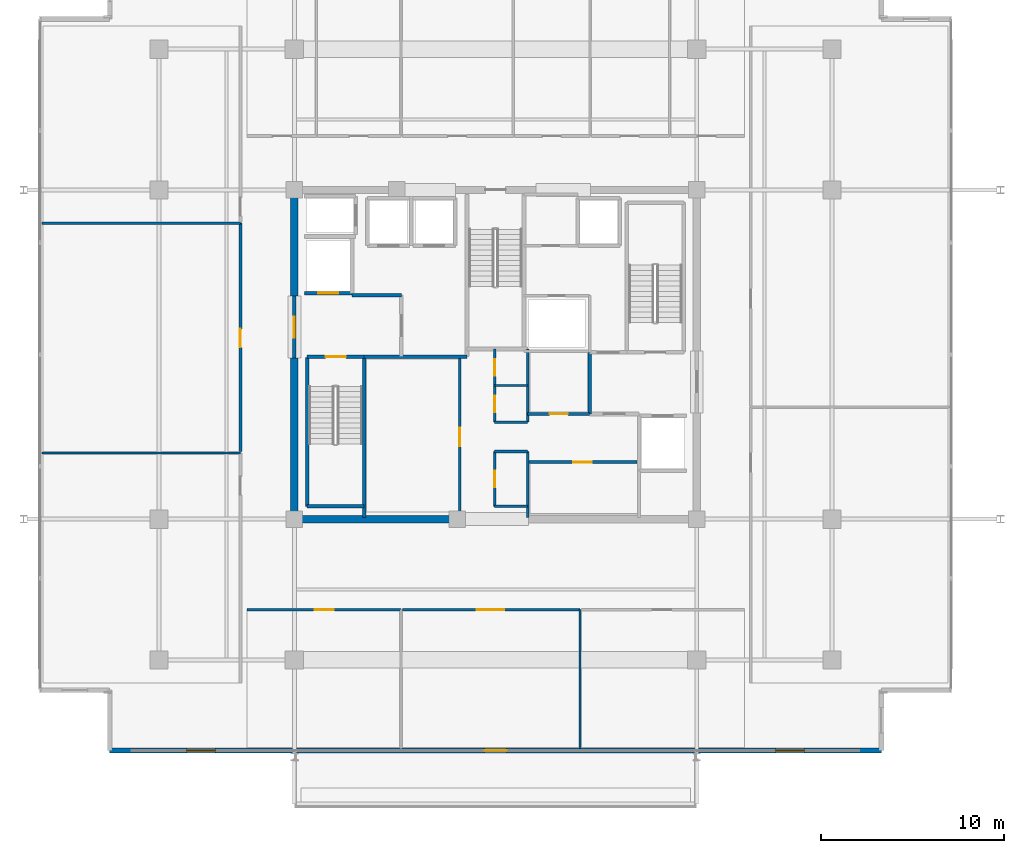
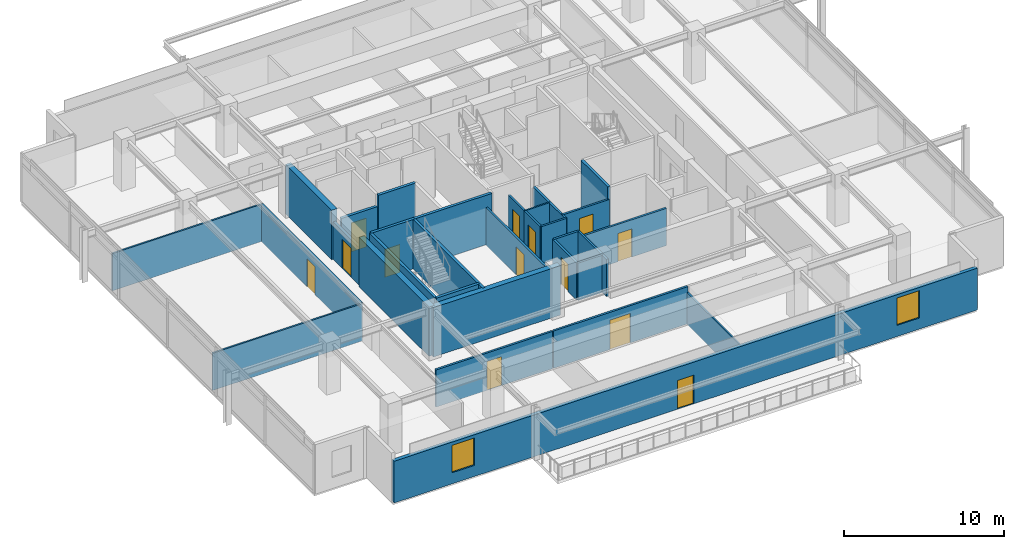
# One storey, part 13 of 20: 31 walls, 13 doors, 2 windows, 15 openings.
"""IFC4 building model written with IfcOpenShell, lengths in metres."""

from ifc_helpers import new_model, si_unit, direction, frame, frame_2d, origin, place, context, subcontext, project, spatial, rectangle, extrude, material, layer, layer_set, type_object, element, fill, save


model = new_model("IFC4")

# Units and contexts
model_context = context("Model", 3, precision=1e-05, world=origin(), true_north=direction((0.0, 1.0)))
body_context = subcontext(model_context, "Body", "Model", "MODEL_VIEW")
ifc_project = project(units=[si_unit("LENGTHUNIT", "METRE"), si_unit("AREAUNIT", "SQUARE_METRE"), si_unit("VOLUMEUNIT", "CUBIC_METRE"), si_unit("PLANEANGLEUNIT", "RADIAN"), si_unit("MASSUNIT", "GRAM", prefix="KILO")], contexts=[model_context])

# Site, building, storey
site_placement = place(None, origin())
site = spatial("IfcSite", under=ifc_project, at=site_placement, CompositionType="ELEMENT")
building_placement = place(site_placement, origin())
building = spatial("IfcBuilding", under=site, at=building_placement, Name="Kovane Verandah Tower", CompositionType="ELEMENT")
storey_placement = place(building_placement, frame((0.0, 0.0, 322.800048828125)))
storey = spatial("IfcBuildingStorey", under=building, at=storey_placement, Name="L75", CompositionType="ELEMENT", Elevation=322.800048828125)

# Walls
ifc_material_1 = material(Name="Fire-Rated Gypsum Stud Partition", Category="gypsum")
ifc_layer_1 = layer(ifc_material_1, 0.14990234375)
ifc_layer_set_1 = layer_set([ifc_layer_1], Name="Fire-Rated Gypsum Stud Partition")
wall_type_1 = type_object("IfcWallType", Name="WL-COR-150", PredefinedType="PARTITIONING", material=ifc_layer_set_1)
for number, where, z_axis, x_axis, name in (
    (1, (39.949951171875, 19.199951171875, 0.0), (0.0, 0.0, 1.0), (1.0, 0.0, 0.0), "L75 Central Core Strip South Wall"),
    (2, (39.949951171875, 22.199951171875, 0.0), (0.0, 0.0, 1.0), (1.0, 0.0, 0.0), "L75 Core Cross-Passage South Wall"),
    (3, (39.949951171875, 23.800048828125, 0.0), (0.0, 0.0, 1.0), (1.0, 0.0, 0.0), "L75 Core Cross-Passage North Wall"),
):
    element("IfcWall", number, at=place(storey_placement, frame(where, z_axis=z_axis, x_axis=x_axis)), inside=storey, type_object=wall_type_1, Name=name, PredefinedType="PARTITIONING", context=body_context, shape_type="SweptSolid", body=[
        extrude(rectangle(XDim=1.81005859375, YDim=0.14990234375, at=frame_2d((0.905029296875, 0.0))), origin(), (0.0, 0.0, 1.0), 2.849853515625),
    ])
wall_1_placement = place(storey_placement, frame((41.760009765625, 18.60009765625, 0.0), z_axis=(0.0, 0.0, 1.0), x_axis=(0.0, 1.0, 0.0)))
element("IfcWall", 4, at=wall_1_placement, inside=storey, type_object=wall_type_1, Name="L75 Central Core Strip Lower East Wall", PredefinedType="PARTITIONING", context=body_context, shape_type="SweptSolid", body=[
    extrude(rectangle(XDim=3.599853515625, YDim=0.14990234375, at=frame_2d((1.7998046875, 0.0))), origin(), (0.0, 0.0, 1.0), 2.849853515625),
])
wall_2_placement = place(storey_placement, frame((41.760009765625, 23.800048828125, 0.0), z_axis=(0.0, 0.0, 1.0), x_axis=(0.0, 1.0, 0.0)))
element("IfcWall", 5, at=wall_2_placement, inside=storey, type_object=wall_type_1, Name="L75 Central Core Strip Upper East Wall", PredefinedType="PARTITIONING", context=body_context, shape_type="SweptSolid", body=[
    extrude(rectangle(XDim=4.0, YDim=0.14990234375, at=frame_2d((2.0, 0.0))), origin(), (0.0, 0.0, 1.0), 2.849853515625),
])

# Wall, opening, door
wall_3_placement = place(storey_placement, frame((39.949951171875, 19.199951171875, 0.0), z_axis=(0.0, 0.0, 1.0), x_axis=(0.0, 1.0, 0.0)))
wall_3 = element("IfcWall", 6, at=wall_3_placement, inside=storey, type_object=wall_type_1, Name="L75 Male Toilet Partition", PredefinedType="PARTITIONING", context=body_context, shape_type="SweptSolid", body=[
    extrude(rectangle(XDim=3.0, YDim=0.14990234375, at=frame_2d((1.5, 0.0))), origin(), (0.0, 0.0, 1.0), 2.849853515625),
])
opening_1_placement = place(wall_3_placement, frame((1.050048828125, 0.0, 0.0)))
opening_1 = element("IfcOpeningElement", 7, at=opening_1_placement, cuts=wall_3, Name="Opening DR-L75-029", PredefinedType="OPENING", context=body_context, shape_type="SweptSolid", body=[
    extrude(rectangle(XDim=0.89990234375, YDim=2.10009765625, at=frame_2d((0.449951171875, 1.050048828125))), frame((0.0, 0.074951171875, 0.0), z_axis=(0.0, -1.0, 0.0), x_axis=(1.0, 0.0, 0.0)), (0.0, 0.0, 1.0), 0.14990234375),
])
ifc_material_2 = material(Name="Moisture-Resistant Laminate Washroom Door", Category="wood")
door_type_1 = type_object("IfcDoorType", Name="DR-WC-900", OperationType="SINGLE_SWING_LEFT", PredefinedType="DOOR", material=ifc_material_2)
door_1_placement = place(opening_1_placement, origin())
door_1 = element("IfcDoor", 8, at=door_1_placement, inside=storey, type_object=door_type_1, Name="L75 Male Toilet Door", OperationType="SINGLE_SWING_LEFT", OverallHeight=2.10009765625, OverallWidth=0.89990234375, PredefinedType="DOOR", context=body_context, shape_type="SweptSolid", body=[
    extrude(rectangle(XDim=0.89990234375, YDim=2.10009765625, at=frame_2d((0.449951171875, 1.050048828125))), frame((0.0, 0.02490234375, 0.0), z_axis=(0.0, -1.0, 0.0), x_axis=(1.0, 0.0, 0.0)), (0.0, 0.0, 1.0), 0.050048828125),
])
fill(opening_1, door_1)

wall_4_placement = place(storey_placement, frame((39.949951171875, 23.800048828125, 0.0), z_axis=(0.0, 0.0, 1.0), x_axis=(0.0, 1.0, 0.0)))
wall_4 = element("IfcWall", 9, at=wall_4_placement, inside=storey, type_object=wall_type_1, Name="L75 Female Toilet Partition", PredefinedType="PARTITIONING", context=body_context, shape_type="SweptSolid", body=[
    extrude(rectangle(XDim=2.0, YDim=0.14990234375, at=frame_2d((1.0, 0.0))), origin(), (0.0, 0.0, 1.0), 2.849853515625),
])
opening_2_placement = place(wall_4_placement, frame((0.550048828125, 0.0, 0.0)))
opening_2 = element("IfcOpeningElement", 10, at=opening_2_placement, cuts=wall_4, Name="Opening DR-L75-028", PredefinedType="OPENING", context=body_context, shape_type="SweptSolid", body=[
    extrude(rectangle(XDim=0.89990234375, YDim=2.10009765625, at=frame_2d((0.449951171875, 1.050048828125))), frame((0.0, 0.074951171875, 0.0), z_axis=(0.0, -1.0, 0.0), x_axis=(1.0, 0.0, 0.0)), (0.0, 0.0, 1.0), 0.14990234375),
])
door_2_placement = place(opening_2_placement, origin())
door_2 = element("IfcDoor", 11, at=door_2_placement, inside=storey, type_object=door_type_1, Name="L75 Female Toilet Door", OperationType="SINGLE_SWING_RIGHT", OverallHeight=2.10009765625, OverallWidth=0.89990234375, PredefinedType="DOOR", context=body_context, shape_type="SweptSolid", body=[
    extrude(rectangle(XDim=0.89990234375, YDim=2.10009765625, at=frame_2d((0.449951171875, 1.050048828125))), frame((0.0, 0.02490234375, 0.0), z_axis=(0.0, -1.0, 0.0), x_axis=(1.0, 0.0, 0.0)), (0.0, 0.0, 1.0), 0.050048828125),
])
fill(opening_2, door_2)

wall_5_placement = place(storey_placement, frame((39.949951171875, 25.800048828125, 0.0), z_axis=(0.0, 0.0, 1.0), x_axis=(0.0, 1.0, 0.0)))
wall_5 = element("IfcWall", 12, at=wall_5_placement, inside=storey, type_object=wall_type_1, Name="L75 Accessible Unisex Toilet Partition", PredefinedType="PARTITIONING", context=body_context, shape_type="SweptSolid", body=[
    extrude(rectangle(XDim=2.0, YDim=0.14990234375, at=frame_2d((1.0, 0.0))), origin(), (0.0, 0.0, 1.0), 2.849853515625),
])
opening_3_placement = place(wall_5_placement, frame((0.550048828125, 0.0, 0.0)))
opening_3 = element("IfcOpeningElement", 13, at=opening_3_placement, cuts=wall_5, Name="Opening DR-L75-027", PredefinedType="OPENING", context=body_context, shape_type="SweptSolid", body=[
    extrude(rectangle(XDim=0.89990234375, YDim=2.10009765625, at=frame_2d((0.449951171875, 1.050048828125))), frame((0.0, 0.074951171875, 0.0), z_axis=(0.0, -1.0, 0.0), x_axis=(1.0, 0.0, 0.0)), (0.0, 0.0, 1.0), 0.14990234375),
])
door_3_placement = place(opening_3_placement, origin())
door_3 = element("IfcDoor", 14, at=door_3_placement, inside=storey, type_object=door_type_1, Name="L75 Accessible Unisex Toilet Door", OperationType="SINGLE_SWING_LEFT", OverallHeight=2.10009765625, OverallWidth=0.89990234375, PredefinedType="DOOR", context=body_context, shape_type="SweptSolid", body=[
    extrude(rectangle(XDim=0.89990234375, YDim=2.10009765625, at=frame_2d((0.449951171875, 1.050048828125))), frame((0.0, 0.02490234375, 0.0), z_axis=(0.0, -1.0, 0.0), x_axis=(1.0, 0.0, 0.0)), (0.0, 0.0, 1.0), 0.050048828125),
])
fill(opening_3, door_3)

wall_6_placement = place(storey_placement, frame((38.050048828125, 18.60009765625, 0.0), z_axis=(0.0, 0.0, 1.0), x_axis=(0.0, 1.0, 0.0)))
wall_6 = element("IfcWall", 15, at=wall_6_placement, inside=storey, type_object=wall_type_1, Name="L75 Tenant Wellness and Archive Suite Partition", PredefinedType="PARTITIONING", context=body_context, shape_type="SweptSolid", body=[
    extrude(rectangle(XDim=8.77978515625, YDim=0.14990234375, at=frame_2d((4.389892578125, 0.0))), origin(), (0.0, 0.0, 1.0), 2.849853515625),
])
opening_4_placement = place(wall_6_placement, frame((3.889892578125, 0.0, 0.0)))
opening_4 = element("IfcOpeningElement", 16, at=opening_4_placement, cuts=wall_6, Name="Opening DR-L75-013", PredefinedType="OPENING", context=body_context, shape_type="SweptSolid", body=[
    extrude(rectangle(XDim=1.0, YDim=2.14990234375, at=frame_2d((0.5, 1.074951171875))), frame((0.0, 0.074951171875, 0.0), z_axis=(0.0, -1.0, 0.0), x_axis=(1.0, 0.0, 0.0)), (0.0, 0.0, 1.0), 0.14990234375),
])
ifc_material_3 = material(Name="FSC Spotted-Gum Timber Fire-Rated Office Door", Category="wood")
door_type_2 = type_object("IfcDoorType", Name="DR-OFF-1000", OperationType="SINGLE_SWING_LEFT", PredefinedType="DOOR", material=ifc_material_3)
door_4_placement = place(opening_4_placement, origin())
door_4 = element("IfcDoor", 17, at=door_4_placement, inside=storey, type_object=door_type_2, Name="L75 Tenant Wellness and Archive Suite Door", OperationType="SINGLE_SWING_RIGHT", OverallHeight=2.14990234375, OverallWidth=1.0, PredefinedType="DOOR", context=body_context, shape_type="SweptSolid", body=[
    extrude(rectangle(XDim=1.0, YDim=2.14990234375, at=frame_2d((0.5, 1.074951171875))), frame((0.0, 0.02490234375, 0.0), z_axis=(0.0, -1.0, 0.0), x_axis=(1.0, 0.0, 0.0)), (0.0, 0.0, 1.0), 0.050048828125),
])
fill(opening_4, door_4)

wall_7_placement = place(storey_placement, frame((41.760009765625, 21.6201171875, 0.0), z_axis=(0.0, 0.0, 1.0), x_axis=(1.0, 0.0, 0.0)))
wall_7 = element("IfcWall", 18, at=wall_7_placement, inside=storey, type_object=wall_type_1, Name="L75 Records Vault Room Partition", PredefinedType="PARTITIONING", context=body_context, shape_type="SweptSolid", body=[
    extrude(rectangle(XDim=5.97998046875, YDim=0.14990234375, at=frame_2d((2.989990234375, 0.0))), origin(), (0.0, 0.0, 1.0), 2.849853515625),
])
opening_5_placement = place(wall_7_placement, frame((2.489990234375, 0.0, 0.0)))
opening_5 = element("IfcOpeningElement", 19, at=opening_5_placement, cuts=wall_7, Name="Opening DR-L75-014", PredefinedType="OPENING", context=body_context, shape_type="SweptSolid", body=[
    extrude(rectangle(XDim=1.0, YDim=2.14990234375, at=frame_2d((0.5, 1.074951171875))), frame((0.0, 0.074951171875, 0.0), z_axis=(0.0, -1.0, 0.0), x_axis=(1.0, 0.0, 0.0)), (0.0, 0.0, 1.0), 0.14990234375),
])
door_5_placement = place(opening_5_placement, origin())
door_5 = element("IfcDoor", 20, at=door_5_placement, inside=storey, type_object=door_type_2, Name="L75 Records Vault Room Door", OperationType="SINGLE_SWING_LEFT", OverallHeight=2.14990234375, OverallWidth=1.0, PredefinedType="DOOR", context=body_context, shape_type="SweptSolid", body=[
    extrude(rectangle(XDim=1.0, YDim=2.14990234375, at=frame_2d((0.5, 1.074951171875))), frame((0.0, 0.02490234375, 0.0), z_axis=(0.0, -1.0, 0.0), x_axis=(1.0, 0.0, 0.0)), (0.0, 0.0, 1.0), 0.050048828125),
])
fill(opening_5, door_5)

wall_8_placement = place(storey_placement, frame((41.760009765625, 24.25, 0.0), z_axis=(0.0, 0.0, 1.0), x_axis=(1.0, 0.0, 0.0)))
wall_8 = element("IfcWall", 21, at=wall_8_placement, inside=storey, type_object=wall_type_1, Name="L75 Document Archive Room Partition", PredefinedType="PARTITIONING", context=body_context, shape_type="SweptSolid", body=[
    extrude(rectangle(XDim=3.389892578125, YDim=0.14990234375, at=frame_2d((1.69482421875, 0.0))), origin(), (0.0, 0.0, 1.0), 2.849853515625),
])
opening_6_placement = place(wall_8_placement, frame((1.195068359375, 0.0, 0.0)))
opening_6 = element("IfcOpeningElement", 22, at=opening_6_placement, cuts=wall_8, Name="Opening DR-L75-015", PredefinedType="OPENING", context=body_context, shape_type="SweptSolid", body=[
    extrude(rectangle(XDim=1.0, YDim=2.14990234375, at=frame_2d((0.5, 1.074951171875))), frame((0.0, 0.074951171875, 0.0), z_axis=(0.0, -1.0, 0.0), x_axis=(1.0, 0.0, 0.0)), (0.0, 0.0, 1.0), 0.14990234375),
])
door_6_placement = place(opening_6_placement, origin())
door_6 = element("IfcDoor", 23, at=door_6_placement, inside=storey, type_object=door_type_2, Name="L75 Document Archive Room Door", OperationType="SINGLE_SWING_RIGHT", OverallHeight=2.14990234375, OverallWidth=1.0, PredefinedType="DOOR", context=body_context, shape_type="SweptSolid", body=[
    extrude(rectangle(XDim=1.0, YDim=2.14990234375, at=frame_2d((0.5, 1.074951171875))), frame((0.0, 0.02490234375, 0.0), z_axis=(0.0, -1.0, 0.0), x_axis=(1.0, 0.0, 0.0)), (0.0, 0.0, 1.0), 0.050048828125),
])
fill(opening_6, door_6)

wall_9_placement = place(storey_placement, frame((26.39990234375, 13.550048828125, 0.0), z_axis=(0.0, 0.0, 1.0), x_axis=(1.0, 0.0, 0.0)))
wall_9 = element("IfcWall", 24, at=wall_9_placement, inside=storey, type_object=wall_type_1, Name="L75 Executive Office S1 Corridor Partition", PredefinedType="PARTITIONING", context=body_context, shape_type="SweptSolid", body=[
    extrude(rectangle(XDim=8.43212890625, YDim=0.14990234375, at=frame_2d((4.216064453125, 0.0))), origin(), (0.0, 0.0, 1.0), 2.849853515625),
])
opening_7_placement = place(wall_9_placement, frame((3.7060546875, 0.0, 0.0)))
opening_7 = element("IfcOpeningElement", 25, at=opening_7_placement, cuts=wall_9, Name="Opening DR-L75-024", PredefinedType="OPENING", context=body_context, shape_type="SweptSolid", body=[
    extrude(rectangle(XDim=1.050048828125, YDim=2.199951171875, at=frame_2d((0.52490234375, 1.10009765625))), frame((0.0, 0.074951171875, 0.0), z_axis=(0.0, -1.0, 0.0), x_axis=(1.0, 0.0, 0.0)), (0.0, 0.0, 1.0), 0.14990234375),
])
ifc_material_4 = material(Name="FSC Blackbutt Timber Fire-Rated Executive Door", Category="wood")
door_type_3 = type_object("IfcDoorType", Name="DR-EXEC-1050", OperationType="SINGLE_SWING_LEFT", PredefinedType="DOOR", material=ifc_material_4)
door_7_placement = place(opening_7_placement, origin())
door_7 = element("IfcDoor", 26, at=door_7_placement, inside=storey, type_object=door_type_3, Name="L75 Executive Office S1 Entrance Door", OperationType="SINGLE_SWING_LEFT", OverallHeight=2.199951171875, OverallWidth=1.050048828125, PredefinedType="DOOR", context=body_context, shape_type="SweptSolid", body=[
    extrude(rectangle(XDim=1.050048828125, YDim=2.199951171875, at=frame_2d((0.52490234375, 1.10009765625))), frame((0.0, 0.02490234375, 0.0), z_axis=(0.0, -1.0, 0.0), x_axis=(1.0, 0.0, 0.0)), (0.0, 0.0, 1.0), 0.050048828125),
])
fill(opening_7, door_7)

wall_10_placement = place(storey_placement, frame((34.902099609375, 13.550048828125, 0.0), z_axis=(0.0, 0.0, 1.0), x_axis=(1.0, 0.0, 0.0)))
wall_10 = element("IfcWall", 27, at=wall_10_placement, inside=storey, type_object=wall_type_1, Name="L75 Client Boardroom S2 Corridor Partition", PredefinedType="PARTITIONING", context=body_context, shape_type="SweptSolid", body=[
    extrude(rectangle(XDim=9.721923828125, YDim=0.14990234375, at=frame_2d((4.86083984375, 0.0))), origin(), (0.0, 0.0, 1.0), 2.849853515625),
])
opening_8_placement = place(wall_10_placement, frame((4.075927734375, 0.0, 0.0)))
opening_8 = element("IfcOpeningElement", 28, at=opening_8_placement, cuts=wall_10, Name="Opening DR-L75-025", PredefinedType="OPENING", context=body_context, shape_type="SweptSolid", body=[
    extrude(rectangle(XDim=1.5, YDim=2.25, at=frame_2d((0.75, 1.125))), frame((0.0, 0.074951171875, 0.0), z_axis=(0.0, -1.0, 0.0), x_axis=(1.0, 0.0, 0.0)), (0.0, 0.0, 1.0), 0.14990234375),
])
ifc_material_5 = material(Name="Glazed Timber Fire-Rated Double Door", Category="wood")
door_type_4 = type_object("IfcDoorType", Name="DR-CONF-1500", OperationType="DOUBLE_DOOR_SINGLE_SWING", PredefinedType="DOOR", material=ifc_material_5)
door_8_placement = place(opening_8_placement, origin())
door_8 = element("IfcDoor", 29, at=door_8_placement, inside=storey, type_object=door_type_4, Name="L75 Client Boardroom S2 Entrance Door", OperationType="DOUBLE_DOOR_SINGLE_SWING", OverallHeight=2.25, OverallWidth=1.5, PredefinedType="DOOR", context=body_context, shape_type="SweptSolid", body=[
    extrude(rectangle(XDim=1.5, YDim=2.25, at=frame_2d((0.75, 1.125))), frame((0.0, 0.02490234375, 0.0), z_axis=(0.0, -1.0, 0.0), x_axis=(1.0, 0.0, 0.0)), (0.0, 0.0, 1.0), 0.050048828125),
])
fill(opening_8, door_8)

wall_11_placement = place(storey_placement, frame((26.050048828125, 22.18505859375, 0.0), z_axis=(0.0, 0.0, 1.0), x_axis=(0.0, 1.0, 0.0)))
wall_11 = element("IfcWall", 30, at=wall_11_placement, inside=storey, type_object=wall_type_1, Name="L75 Breakout Pantry W2 Corridor Partition", PredefinedType="PARTITIONING", context=body_context, shape_type="SweptSolid", body=[
    extrude(rectangle(XDim=12.494873046875, YDim=0.14990234375, at=frame_2d((6.24755859375, 0.0))), origin(), (0.0, 0.0, 1.0), 2.849853515625),
])
opening_9_placement = place(wall_11_placement, frame((5.71240234375, 0.0, 0.0)))
opening_9 = element("IfcOpeningElement", 31, at=opening_9_placement, cuts=wall_11, Name="Opening DR-L75-031", PredefinedType="OPENING", context=body_context, shape_type="SweptSolid", body=[
    extrude(rectangle(XDim=1.0, YDim=2.14990234375, at=frame_2d((0.5, 1.074951171875))), frame((0.0, 0.074951171875, 0.0), z_axis=(0.0, -1.0, 0.0), x_axis=(1.0, 0.0, 0.0)), (0.0, 0.0, 1.0), 0.14990234375),
])
door_9_placement = place(opening_9_placement, origin())
door_9 = element("IfcDoor", 32, at=door_9_placement, inside=storey, type_object=door_type_2, Name="L75 Breakout Pantry W2 Entrance Door", OperationType="SINGLE_SWING_LEFT", OverallHeight=2.14990234375, OverallWidth=1.0, PredefinedType="DOOR", context=body_context, shape_type="SweptSolid", body=[
    extrude(rectangle(XDim=1.0, YDim=2.14990234375, at=frame_2d((0.5, 1.074951171875))), frame((0.0, 0.02490234375, 0.0), z_axis=(0.0, -1.0, 0.0), x_axis=(1.0, 0.0, 0.0)), (0.0, 0.0, 1.0), 0.050048828125),
])
fill(opening_9, door_9)

# Walls
ifc_material_6 = material(Name="Concrete C60/75", Category="concrete")
ifc_layer_2 = layer(ifc_material_6, 0.39990234375)
ifc_layer_set_2 = layer_set([ifc_layer_2], Name="Concrete C60/75")
wall_type_2 = type_object("IfcWallType", Name="WL-CORE-400", PredefinedType="SHEAR", material=ifc_layer_set_2)
wall_12_placement = place(storey_placement, frame((29.0, 18.5, 0.0), z_axis=(0.0, 0.0, 1.0), x_axis=(1.0, 0.0, 0.0)))
element("IfcWall", 33, at=wall_12_placement, inside=storey, type_object=wall_type_2, Name="L75 Core Shear Wall CS-1", PredefinedType="SHEAR", context=body_context, shape_type="SweptSolid", body=[
    extrude(rectangle(XDim=9.199951171875, YDim=0.39990234375, at=frame_2d((4.60009765625, 0.0))), origin(), (0.0, 0.0, 1.0), 3.784912109375),
])
wall_13_placement = place(storey_placement, frame((29.0, 18.5, 0.0), z_axis=(0.0, 0.0, 1.0), x_axis=(0.0, 1.0, 0.0)))
element("IfcWall", 34, at=wall_13_placement, inside=storey, type_object=wall_type_2, Name="L75 Core Shear Wall CW-1", PredefinedType="SHEAR", context=body_context, shape_type="SweptSolid", body=[
    extrude(rectangle(XDim=8.800048828125, YDim=0.39990234375, at=frame_2d((4.39990234375, 0.0))), origin(), (0.0, 0.0, 1.0), 3.784912109375),
])
wall_14_placement = place(storey_placement, frame((29.0, 30.699951171875, 0.0), z_axis=(0.0, 0.0, 1.0), x_axis=(0.0, 1.0, 0.0)))
element("IfcWall", 35, at=wall_14_placement, inside=storey, type_object=wall_type_2, Name="L75 Core Shear Wall CW-2", PredefinedType="SHEAR", context=body_context, shape_type="SweptSolid", body=[
    extrude(rectangle(XDim=5.800048828125, YDim=0.39990234375, at=frame_2d((2.89990234375, 0.0))), origin(), (0.0, 0.0, 1.0), 3.784912109375),
])

# Wall, opening, door
ifc_material_7 = material(Name="Concrete C45/55 Fire Wall", Category="concrete")
ifc_layer_3 = layer(ifc_material_7, 0.199951171875)
ifc_layer_set_3 = layer_set([ifc_layer_3], Name="Concrete C45/55 Fire Wall")
wall_type_3 = type_object("IfcWallType", Name="WL-FFL-200", PredefinedType="PARTITIONING", material=ifc_layer_set_3)
wall_15_placement = place(storey_placement, frame((29.0, 27.300048828125, 0.0), z_axis=(0.0, 0.0, 1.0), x_axis=(0.0, 1.0, 0.0)))
wall_15 = element("IfcWall", 36, at=wall_15_placement, inside=storey, type_object=wall_type_3, Name="W-L75-FFLW-OUT", PredefinedType="PARTITIONING", context=body_context, shape_type="SweptSolid", body=[
    extrude(rectangle(XDim=3.39990234375, YDim=0.199951171875, at=frame_2d((1.699951171875, 0.0))), origin(), (0.0, 0.0, 1.0), 2.864990234375),
])
opening_10_placement = place(wall_15_placement, frame((1.125, 0.0, 0.0)))
opening_10 = element("IfcOpeningElement", 37, at=opening_10_placement, cuts=wall_15, Name="Opening DR-L75-007", PredefinedType="OPENING", context=body_context, shape_type="SweptSolid", body=[
    extrude(rectangle(XDim=1.14990234375, YDim=2.199951171875, at=frame_2d((0.574951171875, 1.10009765625))), frame((0.0, 0.10009765625, 0.0), z_axis=(0.0, -1.0, 0.0), x_axis=(1.0, 0.0, 0.0)), (0.0, 0.0, 1.0), 0.199951171875),
])
ifc_material_8 = material(Name="Smoke-Sealed Firefighting Lobby Door", Category="steel")
door_type_5 = type_object("IfcDoorType", Name="DR-FFL-1150", OperationType="SINGLE_SWING_LEFT", PredefinedType="DOOR", material=ifc_material_8)
door_10_placement = place(opening_10_placement, origin())
door_10 = element("IfcDoor", 38, at=door_10_placement, inside=storey, type_object=door_type_5, Name="L75 West Firefighting Lobby Corridor Door", OperationType="SINGLE_SWING_RIGHT", OverallHeight=2.199951171875, OverallWidth=1.14990234375, PredefinedType="DOOR", context=body_context, shape_type="SweptSolid", body=[
    extrude(rectangle(XDim=1.14990234375, YDim=2.199951171875, at=frame_2d((0.574951171875, 1.10009765625))), frame((0.0, 0.02490234375, 0.0), z_axis=(0.0, -1.0, 0.0), x_axis=(1.0, 0.0, 0.0)), (0.0, 0.0, 1.0), 0.050048828125),
])
fill(opening_10, door_10)

# Walls
wall_16_placement = place(storey_placement, frame((32.820068359375, 27.3798828125, 0.0), z_axis=(0.0, 0.0, 1.0), x_axis=(1.0, 0.0, 0.0)))
element("IfcWall", 39, at=wall_16_placement, inside=storey, type_object=wall_type_3, Name="L75 West Firefighting Lobby South Fire Wall", PredefinedType="PARTITIONING", context=body_context, shape_type="SweptSolid", body=[
    extrude(rectangle(XDim=5.619873046875, YDim=0.199951171875, at=frame_2d((2.81005859375, 0.0))), origin(), (0.0, 0.0, 1.0), 3.784912109375),
])
wall_17_placement = place(storey_placement, frame((32.14990234375, 30.75, 0.0), z_axis=(0.0, 0.0, 1.0), x_axis=(1.0, 0.0, 0.0)))
element("IfcWall", 40, at=wall_17_placement, inside=storey, type_object=wall_type_3, Name="L75 West Firefighting Lobby North Fire Wall", PredefinedType="PARTITIONING", context=body_context, shape_type="SweptSolid", body=[
    extrude(rectangle(XDim=2.7001953125, YDim=0.199951171875, at=frame_2d((1.35009765625, 0.0))), origin(), (0.0, 0.0, 1.0), 3.784912109375),
])
wall_18_placement = place(storey_placement, frame((45.14990234375, 24.25, 0.0), z_axis=(0.0, 0.0, 1.0), x_axis=(0.0, 1.0, 0.0)))
element("IfcWall", 41, at=wall_18_placement, inside=storey, type_object=wall_type_3, Name="L75 East Firefighting Lobby West Fire Wall", PredefinedType="PARTITIONING", context=body_context, shape_type="SweptSolid", body=[
    extrude(rectangle(XDim=3.3701171875, YDim=0.199951171875, at=frame_2d((1.68505859375, 0.0))), origin(), (0.0, 0.0, 1.0), 3.784912109375),
])

# Wall, opening, door
ifc_material_9 = material(Name="Concrete C45/55 Lift Shaft Wall", Category="concrete")
ifc_layer_4 = layer(ifc_material_9, 0.199951171875)
ifc_layer_set_4 = layer_set([ifc_layer_4], Name="Concrete C45/55 Lift Shaft Wall")
wall_type_4 = type_object("IfcWallType", Name="WL-LIFT-200", PredefinedType="SOLIDWALL", material=ifc_layer_set_4)
wall_19_placement = place(storey_placement, frame((29.550048828125, 30.85009765625, 0.0), z_axis=(0.0, 0.0, 1.0), x_axis=(1.0, 0.0, 0.0)))
wall_19 = element("IfcWall", 42, at=wall_19_placement, inside=storey, type_object=wall_type_4, Name="L75 Lift FL-01 S Shaft Wall", PredefinedType="SOLIDWALL", context=body_context, shape_type="SweptSolid", body=[
    extrude(rectangle(XDim=2.599853515625, YDim=0.199951171875, at=frame_2d((1.2998046875, 0.0))), origin(), (0.0, 0.0, 1.0), 2.864990234375),
])
opening_11_placement = place(wall_19_placement, frame((0.75, 0.0, 0.0)))
opening_11 = element("IfcOpeningElement", 43, at=opening_11_placement, cuts=wall_19, Name="Opening LD-L75-001", PredefinedType="OPENING", context=body_context, shape_type="SweptSolid", body=[
    extrude(rectangle(XDim=1.10009765625, YDim=2.199951171875, at=frame_2d((0.550048828125, 1.10009765625))), frame((0.0, 0.10009765625, 0.0), z_axis=(0.0, -1.0, 0.0), x_axis=(1.0, 0.0, 0.0)), (0.0, 0.0, 1.0), 0.199951171875),
])
ifc_material_10 = material(Name="Brushed Stainless Steel Sliding Lift Landing Door", Category="steel")
door_type_6 = type_object("IfcDoorType", Name="DR-LIFT-1100", OperationType="SLIDING_TO_RIGHT", PredefinedType="DOOR", material=ifc_material_10)
door_11_placement = place(opening_11_placement, origin())
door_11 = element("IfcDoor", 44, at=door_11_placement, inside=storey, type_object=door_type_6, Name="L75 Lift FL-01 Sliding Landing Door", OperationType="SLIDING_TO_RIGHT", OverallHeight=2.199951171875, OverallWidth=1.10009765625, PredefinedType="DOOR", context=body_context, shape_type="SweptSolid", body=[
    extrude(rectangle(XDim=1.10009765625, YDim=2.199951171875, at=frame_2d((0.550048828125, 1.10009765625))), frame((0.0, 0.02490234375, 0.0), z_axis=(0.0, -1.0, 0.0), x_axis=(1.0, 0.0, 0.0)), (0.0, 0.0, 1.0), 0.050048828125),
])
fill(opening_11, door_11)

# Walls
ifc_material_11 = material(Name="Acoustic Fire-Rated Gypsum Partition", Category="gypsum")
ifc_layer_5 = layer(ifc_material_11, 0.1201171875)
ifc_layer_set_5 = layer_set([ifc_layer_5], Name="Acoustic Fire-Rated Gypsum Partition")
wall_type_5 = type_object("IfcWallType", Name="WL-PART-120", PredefinedType="PARTITIONING", material=ifc_layer_set_5)
wall_20_placement = place(storey_placement, frame((39.949951171875, 25.800048828125, 0.0), z_axis=(0.0, 0.0, 1.0), x_axis=(1.0, 0.0, 0.0)))
element("IfcWall", 45, at=wall_20_placement, inside=storey, type_object=wall_type_5, Name="L75 Central Core Strip Upper Dividing Partition", PredefinedType="PARTITIONING", context=body_context, shape_type="SweptSolid", body=[
    extrude(rectangle(XDim=1.81005859375, YDim=0.1201171875, at=frame_2d((0.905029296875, 0.0))), origin(), (0.0, 0.0, 1.0), 2.849853515625),
])
wall_21_placement = place(storey_placement, frame((44.6240234375, 5.949951171875, 0.0), z_axis=(0.0, 0.0, 1.0), x_axis=(0.0, 1.0, 0.0)))
element("IfcWall", 46, at=wall_21_placement, inside=storey, type_object=wall_type_5, Name="L75 Client Boardroom S2 Dividing Partition", PredefinedType="PARTITIONING", context=body_context, shape_type="SweptSolid", body=[
    extrude(rectangle(XDim=7.60009765625, YDim=0.1201171875, at=frame_2d((3.800048828125, 0.0))), origin(), (0.0, 0.0, 1.0), 2.4150390625),
])
for number, where, z_axis, x_axis, name in (
    (47, (15.199951171875, 22.114990234375, 0.0), (0.0, 0.0, 1.0), (1.0, 0.0, 0.0), "L75 Focus Studio W1 Dividing Partition"),
    (48, (15.199951171875, 34.679931640625, 0.0), (0.0, 0.0, 1.0), (1.0, 0.0, 0.0), "L75 Breakout Pantry W2 Dividing Partition"),
):
    element("IfcWall", number, at=place(storey_placement, frame(where, z_axis=z_axis, x_axis=x_axis)), inside=storey, type_object=wall_type_5, Name=name, PredefinedType="PARTITIONING", context=body_context, shape_type="SweptSolid", body=[
        extrude(rectangle(XDim=10.85009765625, YDim=0.1201171875, at=frame_2d((5.425048828125, 0.0))), origin(), (0.0, 0.0, 1.0), 2.849853515625),
    ])
ifc_material_12 = material(Name="Concrete C45/55", Category="concrete")
ifc_layer_6 = layer(ifc_material_12, 0.199951171875)
ifc_layer_set_6 = layer_set([ifc_layer_6], Name="Concrete C45/55")
wall_type_6 = type_object("IfcWallType", Name="WL-SHAFT-200", PredefinedType="SOLIDWALL", material=ifc_layer_set_6)
wall_22_placement = place(storey_placement, frame((29.699951171875, 19.199951171875, 0.0), z_axis=(0.0, 0.0, 1.0), x_axis=(0.0, 1.0, 0.0)))
element("IfcWall", 49, at=wall_22_placement, inside=storey, type_object=wall_type_6, Name="W-L75-ST01-W", PredefinedType="SOLIDWALL", context=body_context, shape_type="SweptSolid", body=[
    extrude(rectangle(XDim=8.150146484375, YDim=0.199951171875, at=frame_2d((4.0751953125, 0.0))), origin(), (0.0, 0.0, 1.0), 3.784912109375),
])
wall_23_placement = place(storey_placement, frame((29.699951171875, 19.199951171875, 0.0), z_axis=(0.0, 0.0, 1.0), x_axis=(1.0, 0.0, 0.0)))
element("IfcWall", 50, at=wall_23_placement, inside=storey, type_object=wall_type_6, Name="W-L75-ST01-S", PredefinedType="SOLIDWALL", context=body_context, shape_type="SweptSolid", body=[
    extrude(rectangle(XDim=3.1201171875, YDim=0.199951171875, at=frame_2d((1.56005859375, 0.0))), origin(), (0.0, 0.0, 1.0), 3.784912109375),
])
wall_24_placement = place(storey_placement, frame((32.820068359375, 18.60009765625, 0.0), z_axis=(0.0, 0.0, 1.0), x_axis=(0.0, 1.0, 0.0)))
element("IfcWall", 51, at=wall_24_placement, inside=storey, type_object=wall_type_6, Name="W-L75-ST01-E", PredefinedType="SOLIDWALL", context=body_context, shape_type="SweptSolid", body=[
    extrude(rectangle(XDim=8.77978515625, YDim=0.199951171875, at=frame_2d((4.389892578125, 0.0))), origin(), (0.0, 0.0, 1.0), 3.784912109375),
])

# Wall, opening, door
wall_25_placement = place(storey_placement, frame((29.699951171875, 27.3798828125, 0.0), z_axis=(0.0, 0.0, 1.0), x_axis=(1.0, 0.0, 0.0)))
wall_25 = element("IfcWall", 52, at=wall_25_placement, inside=storey, type_object=wall_type_6, Name="W-L75-ST01-N", PredefinedType="SOLIDWALL", context=body_context, shape_type="SweptSolid", body=[
    extrude(rectangle(XDim=3.1201171875, YDim=0.199951171875, at=frame_2d((1.56005859375, 0.0))), origin(), (0.0, 0.0, 1.0), 3.784912109375),
])
opening_12_placement = place(wall_25_placement, frame((1.010009765625, 0.0, 0.0)))
opening_12 = element("IfcOpeningElement", 53, at=opening_12_placement, cuts=wall_25, Name="Opening DR-L75-008", PredefinedType="OPENING", context=body_context, shape_type="SweptSolid", body=[
    extrude(rectangle(XDim=1.10009765625, YDim=2.14990234375, at=frame_2d((0.550048828125, 1.074951171875))), frame((0.0, 0.10009765625, 0.0), z_axis=(0.0, -1.0, 0.0), x_axis=(1.0, 0.0, 0.0)), (0.0, 0.0, 1.0), 0.199951171875),
])
ifc_material_13 = material(Name="Fire-Rated Steel Exit Door", Category="steel")
door_type_7 = type_object("IfcDoorType", Name="DR-STAIR-1100", OperationType="SINGLE_SWING_LEFT", PredefinedType="DOOR", material=ifc_material_13)
door_12_placement = place(opening_12_placement, origin())
door_12 = element("IfcDoor", 54, at=door_12_placement, inside=storey, type_object=door_type_7, Name="L75 ST-01 Fire Exit Stair Door", OperationType="SINGLE_SWING_RIGHT", OverallHeight=2.14990234375, OverallWidth=1.10009765625, PredefinedType="DOOR", context=body_context, shape_type="SweptSolid", body=[
    extrude(rectangle(XDim=1.10009765625, YDim=2.14990234375, at=frame_2d((0.550048828125, 1.074951171875))), frame((0.0, 0.02490234375, 0.0), z_axis=(0.0, -1.0, 0.0), x_axis=(1.0, 0.0, 0.0)), (0.0, 0.0, 1.0), 0.050048828125),
])
fill(opening_12, door_12)

# Wall, openings, door, windows
ifc_material_14 = material(Name="Concrete C45/55 Insulated Spandrel Wall", Category="concrete")
ifc_layer_7 = layer(ifc_material_14, 0.260009765625)
ifc_layer_set_7 = layer_set([ifc_layer_7], Name="Concrete C45/55 Insulated Spandrel Wall")
wall_type_7 = type_object("IfcWallType", Name="WL-SPANDREL-260", PredefinedType="PARAPET", material=ifc_layer_set_7)
wall_26_placement = place(storey_placement, frame((18.89990234375, 5.85009765625, 0.0), z_axis=(0.0, 0.0, 1.0), x_axis=(1.0, 0.0, 0.0)))
wall_26 = element("IfcWall", 55, at=wall_26_placement, inside=storey, type_object=wall_type_7, Name="L75 S Verandah Access Facade Wall", PredefinedType="PARAPET", context=body_context, shape_type="SweptSolid", body=[
    extrude(rectangle(XDim=42.2001953125, YDim=0.260009765625, at=frame_2d((21.10009765625, 0.0))), origin(), (0.0, 0.0, 1.0), 3.195556640625),
])
opening_13_placement = place(wall_26_placement, frame((4.199951171875, 0.0, 0.85009765625)))
opening_13 = element("IfcOpeningElement", 56, at=opening_13_placement, cuts=wall_26, Name="Opening W-02", PredefinedType="OPENING", context=body_context, shape_type="SweptSolid", body=[
    extrude(rectangle(XDim=1.60009765625, YDim=2.10009765625, at=frame_2d((0.800048828125, 1.050048828125))), frame((0.0, 0.1298828125, 0.0), z_axis=(0.0, -1.0, 0.0), x_axis=(1.0, 0.0, 0.0)), (0.0, 0.0, 1.0), 0.260009765625),
])
opening_14_placement = place(wall_26_placement, frame((20.5, 0.0, 0.0)))
opening_14 = element("IfcOpeningElement", 57, at=opening_14_placement, cuts=wall_26, Name="Opening DR-L75-002", PredefinedType="OPENING", context=body_context, shape_type="SweptSolid", body=[
    extrude(rectangle(XDim=1.199951171875, YDim=2.199951171875, at=frame_2d((0.60009765625, 1.10009765625))), frame((0.0, 0.1298828125, 0.0), z_axis=(0.0, -1.0, 0.0), x_axis=(1.0, 0.0, 0.0)), (0.0, 0.0, 1.0), 0.260009765625),
])
opening_15_placement = place(wall_26_placement, frame((36.39990234375, 0.0, 0.85009765625)))
opening_15 = element("IfcOpeningElement", 58, at=opening_15_placement, cuts=wall_26, Name="Opening W-02", PredefinedType="OPENING", context=body_context, shape_type="SweptSolid", body=[
    extrude(rectangle(XDim=1.60009765625, YDim=2.10009765625, at=frame_2d((0.800048828125, 1.050048828125))), frame((0.0, 0.1298828125, 0.0), z_axis=(0.0, -1.0, 0.0), x_axis=(1.0, 0.0, 0.0)), (0.0, 0.0, 1.0), 0.260009765625),
])
ifc_material_15 = material(Name="Cyclone-Rated Glazed Balcony Leaf Door", Category="aluminium")
door_type_8 = type_object("IfcDoorType", Name="DR-BAL-1200x2200", OperationType="SINGLE_SWING_LEFT", PredefinedType="DOOR", material=ifc_material_15)
door_13_placement = place(opening_14_placement, origin())
door_13 = element("IfcDoor", 59, at=door_13_placement, inside=storey, type_object=door_type_8, Name="L75 S Planted Balcony Access Door", OperationType="SINGLE_SWING_LEFT", OverallHeight=2.199951171875, OverallWidth=1.199951171875, PredefinedType="DOOR", context=body_context, shape_type="SweptSolid", body=[
    extrude(rectangle(XDim=1.199951171875, YDim=2.199951171875, at=frame_2d((0.60009765625, 1.10009765625))), frame((0.0, 0.02490234375, 0.0), z_axis=(0.0, -1.0, 0.0), x_axis=(1.0, 0.0, 0.0)), (0.0, 0.0, 1.0), 0.050048828125),
])
fill(opening_14, door_13)
ifc_material_16 = material(Name="Clear Low-E Laminated Double Glazing in Anodised Frame", Category="glass")
window_type = type_object("IfcWindowType", Name="WN-OPER-1600x2100", PartitioningType="SINGLE_PANEL", PredefinedType="WINDOW", material=ifc_material_16)
window_1_placement = place(opening_13_placement, origin())
window_1 = element("IfcWindow", 60, at=window_1_placement, inside=storey, type_object=window_type, Name="L75 S Verandah View Window 1", OverallHeight=2.10009765625, OverallWidth=1.60009765625, PartitioningType="SINGLE_PANEL", PredefinedType="WINDOW", context=body_context, shape_type="SweptSolid", body=[
    extrude(rectangle(XDim=1.60009765625, YDim=2.10009765625, at=frame_2d((0.800048828125, 1.050048828125))), frame((0.0, 0.030029296875, 0.0), z_axis=(0.0, -1.0, 0.0), x_axis=(1.0, 0.0, 0.0)), (0.0, 0.0, 1.0), 0.06005859375),
])
fill(opening_13, window_1)
window_2_placement = place(opening_15_placement, origin())
window_2 = element("IfcWindow", 61, at=window_2_placement, inside=storey, type_object=window_type, Name="L75 S Verandah View Window 2", OverallHeight=2.10009765625, OverallWidth=1.60009765625, PartitioningType="SINGLE_PANEL", PredefinedType="WINDOW", context=body_context, shape_type="SweptSolid", body=[
    extrude(rectangle(XDim=1.60009765625, YDim=2.10009765625, at=frame_2d((0.800048828125, 1.050048828125))), frame((0.0, 0.030029296875, 0.0), z_axis=(0.0, -1.0, 0.0), x_axis=(1.0, 0.0, 0.0)), (0.0, 0.0, 1.0), 0.06005859375),
])
fill(opening_15, window_2)

save(model, "model.ifc")
